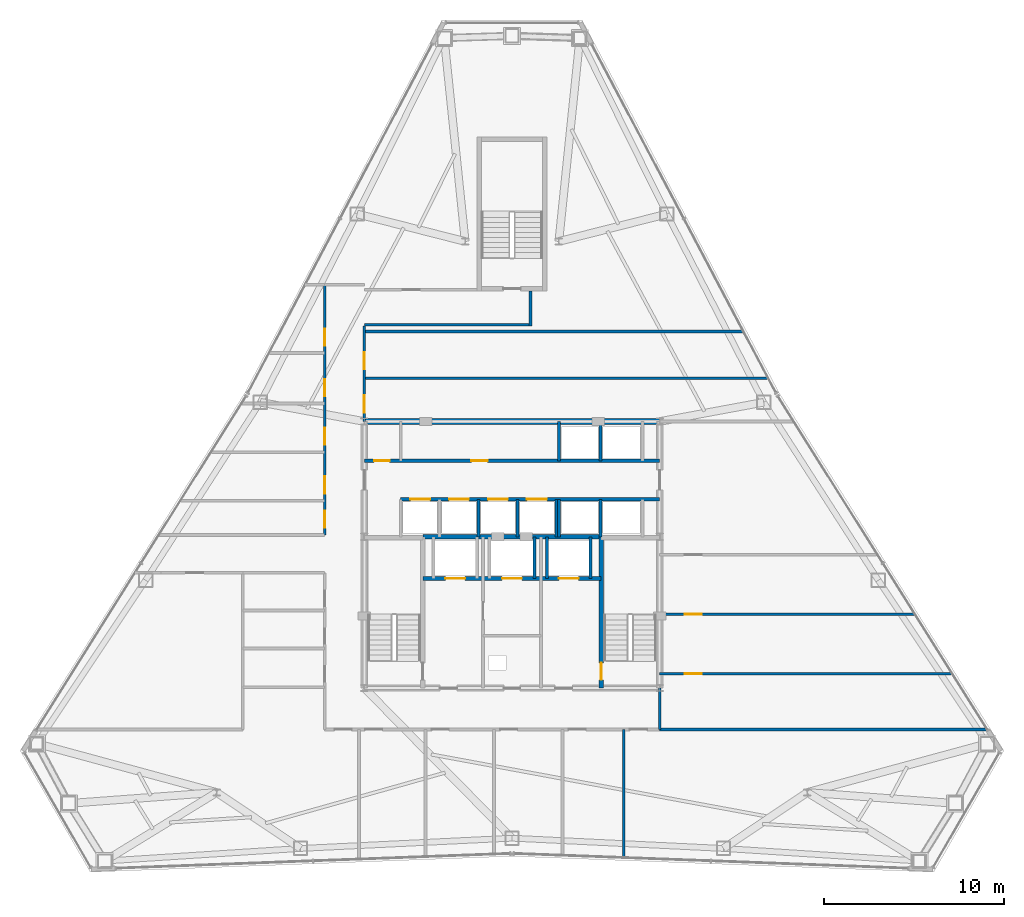
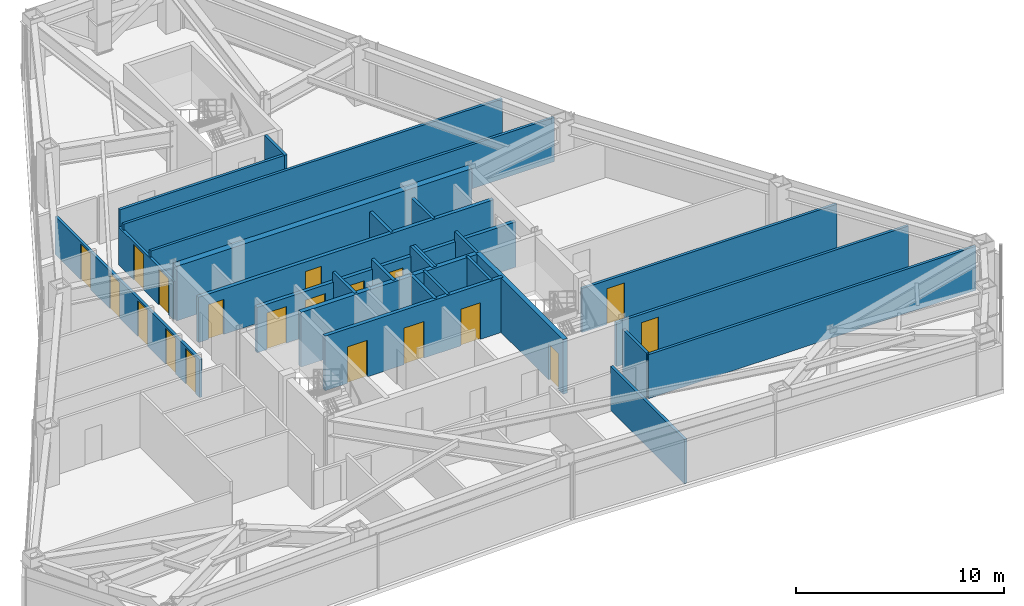
# One storey, part 11 of 13: 27 walls, 19 doors, 19 openings.
"""IFC4 building model written with IfcOpenShell, lengths in metres."""

from ifc_helpers import new_model, si_unit, direction, frame, frame_2d, origin, place, context, subcontext, project, spatial, rectangle, extrude, material, layer, layer_set, type_object, element, fill, save


model = new_model("IFC4")

# Units and contexts
model_context = context("Model", 3, precision=1e-05, world=origin(), true_north=direction((0.0, 1.0)))
body_context = subcontext(model_context, "Body", "Model", "MODEL_VIEW")
ifc_project = project(units=[si_unit("LENGTHUNIT", "METRE"), si_unit("AREAUNIT", "SQUARE_METRE"), si_unit("VOLUMEUNIT", "CUBIC_METRE"), si_unit("PLANEANGLEUNIT", "RADIAN"), si_unit("MASSUNIT", "GRAM", prefix="KILO")], contexts=[model_context])

# Site, building, storey
site_placement = place(None, origin())
site = spatial("IfcSite", under=ifc_project, at=site_placement, CompositionType="ELEMENT")
building_placement = place(site_placement, origin())
building = spatial("IfcBuilding", under=site, at=building_placement, Name="Varakhsha Concourse Tower", CompositionType="ELEMENT")
storey_placement = place(building_placement, frame((0.0, 0.0, 179.25)))
storey = spatial("IfcBuildingStorey", under=building, at=storey_placement, Name="L51", CompositionType="ELEMENT", Elevation=179.25)

# Walls
ifc_material_1 = material(Name="Concrete fc 65 MPa", Category="concrete")
ifc_layer_1 = layer(ifc_material_1, 0.35009765625, Name="WL-CORE-350")
ifc_layer_set_1 = layer_set([ifc_layer_1], Name="Concrete fc 65 MPa")
wall_type_1 = type_object("IfcWallType", Name="WL-CORE-350", PredefinedType="SHEAR", material=ifc_layer_set_1)
wall_1_placement = place(storey_placement, frame((31.800048828125, 31.199951171875, 0.0), z_axis=(0.0, 0.0, 1.0), x_axis=(1.0, 0.0, 0.0)))
element("IfcWall", 1, at=wall_1_placement, inside=storey, type_object=wall_type_1, Name="L51 Wall CWALL-N-L51", PredefinedType="SHEAR", context=body_context, shape_type="SweptSolid", body=[
    extrude(rectangle(XDim=16.39990234375, YDim=0.35009765625, at=frame_2d((8.199951171875, 0.0))), origin(), (0.0, 0.0, 1.0), 3.2099609375),
])
ifc_material_2 = material(Name="Fire-Rated Type X Gypsum Partition Assembly", Category="gypsum")
ifc_layer_2 = layer(ifc_material_2, 0.14990234375, Name="WL-PART-150")
ifc_layer_set_2 = layer_set([ifc_layer_2], Name="Fire-Rated Type X Gypsum Partition Assembly")
wall_type_2 = type_object("IfcWallType", Name="WL-PART-150", PredefinedType="PARTITIONING", material=ifc_layer_set_2)
wall_2_placement = place(storey_placement, frame((48.199951171875, 14.10009765625, 0.0), z_axis=(0.0, 0.0, 1.0), x_axis=(0.0, 1.0, 0.0)))
element("IfcWall", 2, at=wall_2_placement, inside=storey, type_object=wall_type_2, Name="L51 Wall CRW-SE-L51", PredefinedType="PARTITIONING", context=body_context, shape_type="SweptSolid", body=[
    extrude(rectangle(XDim=2.2998046875, YDim=0.14990234375, at=frame_2d((1.14990234375, 0.0))), origin(), (0.0, 0.0, 1.0), 2.6650390625),
])

# Wall, openings, doors
wall_3_placement = place(storey_placement, frame((29.60009765625, 24.89990234375, 0.0), z_axis=(0.0, 0.0, 1.0), x_axis=(0.0, 1.0, 0.0)))
wall_3 = element("IfcWall", 3, at=wall_3_placement, inside=storey, type_object=wall_type_2, Name="L51 Wall CRW-WN-L51", PredefinedType="PARTITIONING", context=body_context, shape_type="SweptSolid", body=[
    extrude(rectangle(XDim=13.900146484375, YDim=0.14990234375, at=frame_2d((6.9501953125, 0.0))), origin(), (0.0, 0.0, 1.0), 2.22509765625),
])
opening_1_placement = place(wall_3_placement, frame((0.39990234375, 0.0, 0.0)))
opening_1 = element("IfcOpeningElement", 4, at=opening_1_placement, cuts=wall_3, Name="Opening DF-05", PredefinedType="OPENING", context=body_context, shape_type="SweptSolid", body=[
    extrude(rectangle(XDim=0.949951171875, YDim=2.10009765625, at=frame_2d((0.47509765625, 1.050048828125))), frame((0.0, 0.0849609375, 0.0), z_axis=(0.0, -1.0, 0.0), x_axis=(1.0, 0.0, 0.0)), (0.0, 0.0, 1.0), 0.169921875),
])
opening_2_placement = place(wall_3_placement, frame((2.300048828125, 0.0, 0.0)))
opening_2 = element("IfcOpeningElement", 5, at=opening_2_placement, cuts=wall_3, Name="Opening DF-05", PredefinedType="OPENING", context=body_context, shape_type="SweptSolid", body=[
    extrude(rectangle(XDim=0.949951171875, YDim=2.10009765625, at=frame_2d((0.47509765625, 1.050048828125))), frame((0.0, 0.0849609375, 0.0), z_axis=(0.0, -1.0, 0.0), x_axis=(1.0, 0.0, 0.0)), (0.0, 0.0, 1.0), 0.169921875),
])
opening_3_placement = place(wall_3_placement, frame((5.0, 0.0, 0.0)))
opening_3 = element("IfcOpeningElement", 6, at=opening_3_placement, cuts=wall_3, Name="Opening DF-05", PredefinedType="OPENING", context=body_context, shape_type="SweptSolid", body=[
    extrude(rectangle(XDim=0.949951171875, YDim=2.10009765625, at=frame_2d((0.47509765625, 1.050048828125))), frame((0.0, 0.0849609375, 0.0), z_axis=(0.0, -1.0, 0.0), x_axis=(1.0, 0.0, 0.0)), (0.0, 0.0, 1.0), 0.169921875),
])
opening_4_placement = place(wall_3_placement, frame((7.699951171875, 0.0, 0.0)))
opening_4 = element("IfcOpeningElement", 7, at=opening_4_placement, cuts=wall_3, Name="Opening DF-05", PredefinedType="OPENING", context=body_context, shape_type="SweptSolid", body=[
    extrude(rectangle(XDim=0.949951171875, YDim=2.10009765625, at=frame_2d((0.47509765625, 1.050048828125))), frame((0.0, 0.0849609375, 0.0), z_axis=(0.0, -1.0, 0.0), x_axis=(1.0, 0.0, 0.0)), (0.0, 0.0, 1.0), 0.169921875),
])
opening_5_placement = place(wall_3_placement, frame((10.5, 0.0, 0.0)))
opening_5 = element("IfcOpeningElement", 8, at=opening_5_placement, cuts=wall_3, Name="Opening DF-05", PredefinedType="OPENING", context=body_context, shape_type="SweptSolid", body=[
    extrude(rectangle(XDim=0.949951171875, YDim=2.10009765625, at=frame_2d((0.47509765625, 1.050048828125))), frame((0.0, 0.0849609375, 0.0), z_axis=(0.0, -1.0, 0.0), x_axis=(1.0, 0.0, 0.0)), (0.0, 0.0, 1.0), 0.169921875),
])
ifc_material_3 = material(Name="Hollow Galvanised Steel Fire Door Assembly", Category="steel")
door_type_1 = type_object("IfcDoorType", Name="DR-FD60-950", OperationType="NOTDEFINED", PredefinedType="DOOR", material=ifc_material_3)
door_1_placement = place(opening_1_placement, origin())
door_1 = element("IfcDoor", 9, at=door_1_placement, inside=storey, type_object=door_type_1, Name="L51 Chambers Break Kitchen L51-NW Door", OperationType="SINGLE_SWING_LEFT", OverallHeight=2.10009765625, OverallWidth=0.949951171875, PredefinedType="DOOR", context=body_context, shape_type="SweptSolid", body=[
    extrude(rectangle(XDim=0.949951171875, YDim=2.10009765625, at=frame_2d((0.47509765625, 1.050048828125))), frame((0.0, 0.02490234375, 0.0), z_axis=(0.0, -1.0, 0.0), x_axis=(1.0, 0.0, 0.0)), (0.0, 0.0, 1.0), 0.050048828125),
])
fill(opening_1, door_1)
door_2_placement = place(opening_2_placement, origin())
door_2 = element("IfcDoor", 10, at=door_2_placement, inside=storey, type_object=door_type_1, Name="L51 Senior Partner Chamber L51-W2 Door", OperationType="SINGLE_SWING_RIGHT", OverallHeight=2.10009765625, OverallWidth=0.949951171875, PredefinedType="DOOR", context=body_context, shape_type="SweptSolid", body=[
    extrude(rectangle(XDim=0.949951171875, YDim=2.10009765625, at=frame_2d((0.47509765625, 1.050048828125))), frame((0.0, 0.02490234375, 0.0), z_axis=(0.0, -1.0, 0.0), x_axis=(1.0, 0.0, 0.0)), (0.0, 0.0, 1.0), 0.050048828125),
])
fill(opening_2, door_2)
door_3_placement = place(opening_3_placement, origin())
door_3 = element("IfcDoor", 11, at=door_3_placement, inside=storey, type_object=door_type_1, Name="L51 Senior Partner Chamber L51-W3 Door", OperationType="SINGLE_SWING_LEFT", OverallHeight=2.10009765625, OverallWidth=0.949951171875, PredefinedType="DOOR", context=body_context, shape_type="SweptSolid", body=[
    extrude(rectangle(XDim=0.949951171875, YDim=2.10009765625, at=frame_2d((0.47509765625, 1.050048828125))), frame((0.0, 0.02490234375, 0.0), z_axis=(0.0, -1.0, 0.0), x_axis=(1.0, 0.0, 0.0)), (0.0, 0.0, 1.0), 0.050048828125),
])
fill(opening_3, door_3)
door_4_placement = place(opening_4_placement, origin())
door_4 = element("IfcDoor", 12, at=door_4_placement, inside=storey, type_object=door_type_1, Name="L51 Senior Partner Chamber L51-W4 Door", OperationType="SINGLE_SWING_RIGHT", OverallHeight=2.10009765625, OverallWidth=0.949951171875, PredefinedType="DOOR", context=body_context, shape_type="SweptSolid", body=[
    extrude(rectangle(XDim=0.949951171875, YDim=2.10009765625, at=frame_2d((0.47509765625, 1.050048828125))), frame((0.0, 0.02490234375, 0.0), z_axis=(0.0, -1.0, 0.0), x_axis=(1.0, 0.0, 0.0)), (0.0, 0.0, 1.0), 0.050048828125),
])
fill(opening_4, door_4)
door_5_placement = place(opening_5_placement, origin())
door_5 = element("IfcDoor", 13, at=door_5_placement, inside=storey, type_object=door_type_1, Name="L51 Senior Partner Chamber L51-W5 Door", OperationType="SINGLE_SWING_LEFT", OverallHeight=2.10009765625, OverallWidth=0.949951171875, PredefinedType="DOOR", context=body_context, shape_type="SweptSolid", body=[
    extrude(rectangle(XDim=0.949951171875, YDim=2.10009765625, at=frame_2d((0.47509765625, 1.050048828125))), frame((0.0, 0.02490234375, 0.0), z_axis=(0.0, -1.0, 0.0), x_axis=(1.0, 0.0, 0.0)), (0.0, 0.0, 1.0), 0.050048828125),
])
fill(opening_5, door_5)

wall_4_placement = place(storey_placement, frame((31.800048828125, 31.199951171875, 0.0), z_axis=(0.0, 0.0, 1.0), x_axis=(0.0, 1.0, 0.0)))
wall_4 = element("IfcWall", 14, at=wall_4_placement, inside=storey, type_object=wall_type_2, Name="L51 Wall CRW-NE-L51", PredefinedType="PARTITIONING", context=body_context, shape_type="SweptSolid", body=[
    extrude(rectangle(XDim=5.300048828125, YDim=0.14990234375, at=frame_2d((2.64990234375, 0.0))), origin(), (0.0, 0.0, 1.0), 2.22509765625),
])
opening_6_placement = place(wall_4_placement, frame((0.5, 0.0, 0.0)))
opening_6 = element("IfcOpeningElement", 15, at=opening_6_placement, cuts=wall_4, Name="Opening DF-05", PredefinedType="OPENING", context=body_context, shape_type="SweptSolid", body=[
    extrude(rectangle(XDim=0.949951171875, YDim=2.10009765625, at=frame_2d((0.47509765625, 1.050048828125))), frame((0.0, 0.0849609375, 0.0), z_axis=(0.0, -1.0, 0.0), x_axis=(1.0, 0.0, 0.0)), (0.0, 0.0, 1.0), 0.169921875),
])
opening_7_placement = place(wall_4_placement, frame((2.89990234375, 0.0, 0.0)))
opening_7 = element("IfcOpeningElement", 16, at=opening_7_placement, cuts=wall_4, Name="Opening DF-05", PredefinedType="OPENING", context=body_context, shape_type="SweptSolid", body=[
    extrude(rectangle(XDim=0.949951171875, YDim=2.10009765625, at=frame_2d((0.47509765625, 1.050048828125))), frame((0.0, 0.0849609375, 0.0), z_axis=(0.0, -1.0, 0.0), x_axis=(1.0, 0.0, 0.0)), (0.0, 0.0, 1.0), 0.169921875),
])
door_6_placement = place(opening_6_placement, origin())
door_6 = element("IfcDoor", 17, at=door_6_placement, inside=storey, type_object=door_type_1, Name="L51 Mountain View Deposition Conference Room L51-NE1 Door", OperationType="SINGLE_SWING_RIGHT", OverallHeight=2.10009765625, OverallWidth=0.949951171875, PredefinedType="DOOR", context=body_context, shape_type="SweptSolid", body=[
    extrude(rectangle(XDim=0.949951171875, YDim=2.10009765625, at=frame_2d((0.47509765625, 1.050048828125))), frame((0.0, 0.02490234375, 0.0), z_axis=(0.0, -1.0, 0.0), x_axis=(1.0, 0.0, 0.0)), (0.0, 0.0, 1.0), 0.050048828125),
])
fill(opening_6, door_6)
door_7_placement = place(opening_7_placement, origin())
door_7 = element("IfcDoor", 18, at=door_7_placement, inside=storey, type_object=door_type_1, Name="L51 Apex Senior Partner Chamber L51-NE2 Door", OperationType="SINGLE_SWING_RIGHT", OverallHeight=2.10009765625, OverallWidth=0.949951171875, PredefinedType="DOOR", context=body_context, shape_type="SweptSolid", body=[
    extrude(rectangle(XDim=0.949951171875, YDim=2.10009765625, at=frame_2d((0.47509765625, 1.050048828125))), frame((0.0, 0.02490234375, 0.0), z_axis=(0.0, -1.0, 0.0), x_axis=(1.0, 0.0, 0.0)), (0.0, 0.0, 1.0), 0.050048828125),
])
fill(opening_7, door_7)

# Walls
wall_5_placement = place(storey_placement, frame((46.199951171875, 6.982666015625, 0.0), z_axis=(0.0, 0.0, 1.0), x_axis=(0.0, 1.0, 0.0)))
element("IfcWall", 19, at=wall_5_placement, inside=storey, type_object=wall_type_2, Name="L51 Wall ODIV-S5-L51", PredefinedType="PARTITIONING", context=body_context, shape_type="SweptSolid", body=[
    extrude(rectangle(XDim=7.117431640625, YDim=0.14990234375, at=frame_2d((3.55859375, 0.0))), origin(), (0.0, 0.0, 1.0), 2.589111328125),
])
wall_6_placement = place(storey_placement, frame((31.800048828125, 33.60009765625, 0.0), z_axis=(0.0, 0.0, 1.0), x_axis=(1.0, 0.0, 0.0)))
element("IfcWall", 20, at=wall_6_placement, inside=storey, type_object=wall_type_2, Name="L51 Wall ODIV-NE1-L51", PredefinedType="PARTITIONING", context=body_context, shape_type="SweptSolid", body=[
    extrude(rectangle(XDim=22.43017578125, YDim=0.14990234375, at=frame_2d((11.215087890625, 0.0))), origin(), (0.0, 0.0, 1.0), 2.589111328125),
])
wall_7_placement = place(storey_placement, frame((31.800048828125, 36.199951171875, 0.0), z_axis=(0.0, 0.0, 1.0), x_axis=(1.0, 0.0, 0.0)))
element("IfcWall", 21, at=wall_7_placement, inside=storey, type_object=wall_type_2, Name="L51 Wall ODIV-NE2-L51", PredefinedType="PARTITIONING", context=body_context, shape_type="SweptSolid", body=[
    extrude(rectangle(XDim=21.05615234375, YDim=0.14990234375, at=frame_2d((10.528076171875, 0.0))), origin(), (0.0, 0.0, 1.0), 2.589111328125),
])
wall_8_placement = place(storey_placement, frame((48.199951171875, 14.10009765625, 0.0), z_axis=(0.0, 0.0, 1.0), x_axis=(1.0, 0.0, 0.0)))
element("IfcWall", 22, at=wall_8_placement, inside=storey, type_object=wall_type_2, Name="L51 Wall ODIV-EB0-L51", PredefinedType="PARTITIONING", context=body_context, shape_type="SweptSolid", body=[
    extrude(rectangle(XDim=18.192138671875, YDim=0.14990234375, at=frame_2d((9.09619140625, 0.0))), origin(), (0.0, 0.0, 1.0), 2.589111328125),
])

# Wall, opening, door
wall_9_placement = place(storey_placement, frame((48.199951171875, 17.199951171875, 0.0), z_axis=(0.0, 0.0, 1.0), x_axis=(1.0, 0.0, 0.0)))
wall_9 = element("IfcWall", 23, at=wall_9_placement, inside=storey, type_object=wall_type_2, Name="L51 Wall ODIV-E1-L51", PredefinedType="PARTITIONING", context=body_context, shape_type="SweptSolid", body=[
    extrude(rectangle(XDim=16.244140625, YDim=0.14990234375, at=frame_2d((8.1220703125, 0.0))), origin(), (0.0, 0.0, 1.0), 2.589111328125),
])
opening_8_placement = place(wall_9_placement, frame((1.39990234375, 0.0, 0.0)))
opening_8 = element("IfcOpeningElement", 24, at=opening_8_placement, cuts=wall_9, Name="Opening DF-05", PredefinedType="OPENING", context=body_context, shape_type="SweptSolid", body=[
    extrude(rectangle(XDim=0.949951171875, YDim=2.10009765625, at=frame_2d((0.47509765625, 1.050048828125))), frame((0.0, 0.0849609375, 0.0), z_axis=(0.0, -1.0, 0.0), x_axis=(1.0, 0.0, 0.0)), (0.0, 0.0, 1.0), 0.169921875),
])
door_8_placement = place(opening_8_placement, origin())
door_8 = element("IfcDoor", 25, at=door_8_placement, inside=storey, type_object=door_type_1, Name="L51 East Suite Interconnect Door 1", OperationType="SINGLE_SWING_LEFT", OverallHeight=2.10009765625, OverallWidth=0.949951171875, PredefinedType="DOOR", context=body_context, shape_type="SweptSolid", body=[
    extrude(rectangle(XDim=0.949951171875, YDim=2.10009765625, at=frame_2d((0.47509765625, 1.050048828125))), frame((0.0, 0.02490234375, 0.0), z_axis=(0.0, -1.0, 0.0), x_axis=(1.0, 0.0, 0.0)), (0.0, 0.0, 1.0), 0.050048828125),
])
fill(opening_8, door_8)

wall_10_placement = place(storey_placement, frame((48.199951171875, 20.5, 0.0), z_axis=(0.0, 0.0, 1.0), x_axis=(1.0, 0.0, 0.0)))
wall_10 = element("IfcWall", 26, at=wall_10_placement, inside=storey, type_object=wall_type_2, Name="L51 Wall ODIV-E2-L51", PredefinedType="PARTITIONING", context=body_context, shape_type="SweptSolid", body=[
    extrude(rectangle(XDim=14.1708984375, YDim=0.14990234375, at=frame_2d((7.08544921875, 0.0))), origin(), (0.0, 0.0, 1.0), 2.589111328125),
])
opening_9_placement = place(wall_10_placement, frame((1.39990234375, 0.0, 0.0)))
opening_9 = element("IfcOpeningElement", 27, at=opening_9_placement, cuts=wall_10, Name="Opening DF-05", PredefinedType="OPENING", context=body_context, shape_type="SweptSolid", body=[
    extrude(rectangle(XDim=0.949951171875, YDim=2.10009765625, at=frame_2d((0.47509765625, 1.050048828125))), frame((0.0, 0.0849609375, 0.0), z_axis=(0.0, -1.0, 0.0), x_axis=(1.0, 0.0, 0.0)), (0.0, 0.0, 1.0), 0.169921875),
])
door_9_placement = place(opening_9_placement, origin())
door_9 = element("IfcDoor", 28, at=door_9_placement, inside=storey, type_object=door_type_1, Name="L51 East Suite Interconnect Door 2", OperationType="SINGLE_SWING_RIGHT", OverallHeight=2.10009765625, OverallWidth=0.949951171875, PredefinedType="DOOR", context=body_context, shape_type="SweptSolid", body=[
    extrude(rectangle(XDim=0.949951171875, YDim=2.10009765625, at=frame_2d((0.47509765625, 1.050048828125))), frame((0.0, 0.02490234375, 0.0), z_axis=(0.0, -1.0, 0.0), x_axis=(1.0, 0.0, 0.0)), (0.0, 0.0, 1.0), 0.050048828125),
])
fill(opening_9, door_9)

# Walls
wall_11_placement = place(storey_placement, frame((31.800048828125, 36.574951171875, 0.0), z_axis=(0.0, 0.0, 1.0), x_axis=(1.0, 0.0, 0.0)))
element("IfcWall", 29, at=wall_11_placement, inside=storey, type_object=wall_type_2, Name="L51 Wall STLK-S-L51", PredefinedType="PARTITIONING", context=body_context, shape_type="SweptSolid", body=[
    extrude(rectangle(XDim=9.14990234375, YDim=0.14990234375, at=frame_2d((4.574951171875, 0.0))), origin(), (0.0, 0.0, 1.0), 3.2099609375),
])
wall_12_placement = place(storey_placement, frame((41.02490234375, 36.5, 0.0), z_axis=(0.0, 0.0, 1.0), x_axis=(0.0, 1.0, 0.0)))
element("IfcWall", 30, at=wall_12_placement, inside=storey, type_object=wall_type_2, Name="L51 Wall STLK-E-L51", PredefinedType="PARTITIONING", context=body_context, shape_type="SweptSolid", body=[
    extrude(rectangle(XDim=1.949951171875, YDim=0.14990234375, at=frame_2d((0.97509765625, 0.0))), origin(), (0.0, 0.0, 1.0), 3.2099609375),
])

# Wall, openings, doors
ifc_layer_3 = layer(ifc_material_2, 0.199951171875, Name="WL-SHAFT-220")
ifc_layer_set_3 = layer_set([ifc_layer_3], Name="Fire-Rated Type X Gypsum Partition Assembly")
wall_type_3 = type_object("IfcWallType", Name="WL-SHAFT-220", PredefinedType="SOLIDWALL", material=ifc_layer_set_3)
wall_13_placement = place(storey_placement, frame((35.044921875, 22.47998046875, 0.0), z_axis=(0.0, 0.0, 1.0), x_axis=(1.0, 0.0, 0.0)))
wall_13 = element("IfcWall", 31, at=wall_13_placement, inside=storey, type_object=wall_type_3, Name="L51 Wall FFW-NH-L51", PredefinedType="SOLIDWALL", context=body_context, shape_type="SweptSolid", body=[
    extrude(rectangle(XDim=9.91015625, YDim=0.199951171875, at=frame_2d((4.955078125, 0.0))), origin(), (0.0, 0.0, 1.0), 3.2099609375),
])
opening_10_placement = place(wall_13_placement, frame((1.2548828125, 0.0, 0.0)))
opening_10 = element("IfcOpeningElement", 32, at=opening_10_placement, cuts=wall_13, Name="Opening LD-FFL-1", PredefinedType="OPENING", context=body_context, shape_type="SweptSolid", body=[
    extrude(rectangle(XDim=1.10009765625, YDim=2.14990234375, at=frame_2d((0.550048828125, 1.074951171875))), frame((0.0, 0.10986328125, 0.0), z_axis=(0.0, -1.0, 0.0), x_axis=(1.0, 0.0, 0.0)), (0.0, 0.0, 1.0), 0.219970703125),
])
opening_11_placement = place(wall_13_placement, frame((7.554931640625, 0.0, 0.0)))
opening_11 = element("IfcOpeningElement", 33, at=opening_11_placement, cuts=wall_13, Name="Opening LD-FFL-2", PredefinedType="OPENING", context=body_context, shape_type="SweptSolid", body=[
    extrude(rectangle(XDim=1.10009765625, YDim=2.14990234375, at=frame_2d((0.550048828125, 1.074951171875))), frame((0.0, 0.10986328125, 0.0), z_axis=(0.0, -1.0, 0.0), x_axis=(1.0, 0.0, 0.0)), (0.0, 0.0, 1.0), 0.219970703125),
])
opening_12_placement = place(wall_13_placement, frame((4.405029296875, 0.0, 0.0)))
opening_12 = element("IfcOpeningElement", 34, at=opening_12_placement, cuts=wall_13, Name="Opening LD-SVL-1", PredefinedType="OPENING", context=body_context, shape_type="SweptSolid", body=[
    extrude(rectangle(XDim=1.10009765625, YDim=2.14990234375, at=frame_2d((0.550048828125, 1.074951171875))), frame((0.0, 0.10986328125, 0.0), z_axis=(0.0, -1.0, 0.0), x_axis=(1.0, 0.0, 0.0)), (0.0, 0.0, 1.0), 0.219970703125),
])
ifc_material_4 = material(Name="Brushed Austenitic Stainless Steel AISI 316", Category="steel")
door_type_2 = type_object("IfcDoorType", Name="DR-LD-1100", OperationType="DOUBLE_DOOR_SLIDING", PredefinedType="DOOR", material=ifc_material_4)
door_10_placement = place(opening_10_placement, origin())
door_10 = element("IfcDoor", 35, at=door_10_placement, inside=storey, type_object=door_type_2, Name="Lift Landing Door FFL-1 L51", OperationType="DOUBLE_DOOR_SLIDING", OverallHeight=2.14990234375, OverallWidth=1.10009765625, PredefinedType="DOOR", context=body_context, shape_type="SweptSolid", body=[
    extrude(rectangle(XDim=1.10009765625, YDim=2.14990234375, at=frame_2d((0.550048828125, 1.074951171875))), frame((0.0, 0.02490234375, 0.0), z_axis=(0.0, -1.0, 0.0), x_axis=(1.0, 0.0, 0.0)), (0.0, 0.0, 1.0), 0.050048828125),
])
fill(opening_10, door_10)
door_11_placement = place(opening_11_placement, origin())
door_11 = element("IfcDoor", 36, at=door_11_placement, inside=storey, type_object=door_type_2, Name="Lift Landing Door FFL-2 L51", OperationType="DOUBLE_DOOR_SLIDING", OverallHeight=2.14990234375, OverallWidth=1.10009765625, PredefinedType="DOOR", context=body_context, shape_type="SweptSolid", body=[
    extrude(rectangle(XDim=1.10009765625, YDim=2.14990234375, at=frame_2d((0.550048828125, 1.074951171875))), frame((0.0, 0.02490234375, 0.0), z_axis=(0.0, -1.0, 0.0), x_axis=(1.0, 0.0, 0.0)), (0.0, 0.0, 1.0), 0.050048828125),
])
fill(opening_11, door_11)
door_12_placement = place(opening_12_placement, origin())
door_12 = element("IfcDoor", 37, at=door_12_placement, inside=storey, type_object=door_type_2, Name="Lift Landing Door SVL-1 L51", OperationType="DOUBLE_DOOR_SLIDING", OverallHeight=2.14990234375, OverallWidth=1.10009765625, PredefinedType="DOOR", context=body_context, shape_type="SweptSolid", body=[
    extrude(rectangle(XDim=1.10009765625, YDim=2.14990234375, at=frame_2d((0.550048828125, 1.074951171875))), frame((0.0, 0.02490234375, 0.0), z_axis=(0.0, -1.0, 0.0), x_axis=(1.0, 0.0, 0.0)), (0.0, 0.0, 1.0), 0.050048828125),
])
fill(opening_12, door_12)

# Walls
for number, where, z_axis, x_axis, name in (
    (38, (41.949951171875, 22.47998046875, 0.0), (0.0, 0.0, 1.0), (0.0, 1.0, 0.0), "L51 Wall SHW-FFL-2-W-L51"),
    (39, (44.35009765625, 22.47998046875, 0.0), (0.0, 0.0, 1.0), (0.0, 1.0, 0.0), "L51 Wall SHW-FFL-2-E-L51"),
    (40, (41.25, 22.47998046875, 0.0), (0.0, 0.0, 1.0), (0.0, 1.0, 0.0), "L51 Wall SHW-SVL-1-E-L51"),
):
    element("IfcWall", number, at=place(storey_placement, frame(where, z_axis=z_axis, x_axis=x_axis)), inside=storey, type_object=wall_type_3, Name=name, PredefinedType="SOLIDWALL", context=body_context, shape_type="SweptSolid", body=[
        extrude(rectangle(XDim=2.320068359375, YDim=0.159912109375, at=frame_2d((1.16015625, 0.0))), origin(), (0.0, 0.0, 1.0), 3.2099609375),
    ])

# Wall, openings, doors
wall_14_placement = place(storey_placement, frame((31.800048828125, 29.02001953125, 0.0), z_axis=(0.0, 0.0, 1.0), x_axis=(1.0, 0.0, 0.0)))
wall_14 = element("IfcWall", 41, at=wall_14_placement, inside=storey, type_object=wall_type_3, Name="L51 Wall PLW-N-L51", PredefinedType="SOLIDWALL", context=body_context, shape_type="SweptSolid", body=[
    extrude(rectangle(XDim=16.39990234375, YDim=0.199951171875, at=frame_2d((8.199951171875, 0.0))), origin(), (0.0, 0.0, 1.0), 2.6650390625),
])
opening_13_placement = place(wall_14_placement, frame((0.550048828125, 0.0, 0.0)))
opening_13 = element("IfcOpeningElement", 42, at=opening_13_placement, cuts=wall_14, Name="Opening DF-07", PredefinedType="OPENING", context=body_context, shape_type="SweptSolid", body=[
    extrude(rectangle(XDim=0.85009765625, YDim=2.050048828125, at=frame_2d((0.425048828125, 1.02490234375))), frame((0.0, 0.10986328125, 0.0), z_axis=(0.0, -1.0, 0.0), x_axis=(1.0, 0.0, 0.0)), (0.0, 0.0, 1.0), 0.219970703125),
])
opening_14_placement = place(wall_14_placement, frame((5.93994140625, 0.0, 0.0)))
opening_14 = element("IfcOpeningElement", 43, at=opening_14_placement, cuts=wall_14, Name="Opening DF-06", PredefinedType="OPENING", context=body_context, shape_type="SweptSolid", body=[
    extrude(rectangle(XDim=0.89990234375, YDim=2.10009765625, at=frame_2d((0.449951171875, 1.050048828125))), frame((0.0, 0.10986328125, 0.0), z_axis=(0.0, -1.0, 0.0), x_axis=(1.0, 0.0, 0.0)), (0.0, 0.0, 1.0), 0.219970703125),
])
door_type_3 = type_object("IfcDoorType", Name="DR-FD60-850", OperationType="NOTDEFINED", PredefinedType="DOOR", material=ifc_material_3)
door_13_placement = place(opening_13_placement, origin())
door_13 = element("IfcDoor", 44, at=door_13_placement, inside=storey, type_object=door_type_3, Name="L51 Core Janitor Closet Door", OperationType="SINGLE_SWING_LEFT", OverallHeight=2.050048828125, OverallWidth=0.85009765625, PredefinedType="DOOR", context=body_context, shape_type="SweptSolid", body=[
    extrude(rectangle(XDim=0.85009765625, YDim=2.050048828125, at=frame_2d((0.425048828125, 1.02490234375))), frame((0.0, 0.02490234375, 0.0), z_axis=(0.0, -1.0, 0.0), x_axis=(1.0, 0.0, 0.0)), (0.0, 0.0, 1.0), 0.050048828125),
])
fill(opening_13, door_13)
door_type_4 = type_object("IfcDoorType", Name="DR-FD60-900", OperationType="NOTDEFINED", PredefinedType="DOOR", material=ifc_material_3)
door_14_placement = place(opening_14_placement, origin())
door_14 = element("IfcDoor", 45, at=door_14_placement, inside=storey, type_object=door_type_4, Name="L51 Tenant Archive and IT Server Room Door", OperationType="SINGLE_SWING_LEFT", OverallHeight=2.10009765625, OverallWidth=0.89990234375, PredefinedType="DOOR", context=body_context, shape_type="SweptSolid", body=[
    extrude(rectangle(XDim=0.89990234375, YDim=2.10009765625, at=frame_2d((0.449951171875, 1.050048828125))), frame((0.0, 0.02490234375, 0.0), z_axis=(0.0, -1.0, 0.0), x_axis=(1.0, 0.0, 0.0)), (0.0, 0.0, 1.0), 0.050048828125),
])
fill(opening_14, door_14)

wall_15_placement = place(storey_placement, frame((33.820068359375, 26.8798828125, 0.0), z_axis=(0.0, 0.0, 1.0), x_axis=(1.0, 0.0, 0.0)))
wall_15 = element("IfcWall", 46, at=wall_15_placement, inside=storey, type_object=wall_type_3, Name="L51 Wall PLW-S-L51", PredefinedType="SOLIDWALL", context=body_context, shape_type="SweptSolid", body=[
    extrude(rectangle(XDim=14.3798828125, YDim=0.199951171875, at=frame_2d((7.18994140625, 0.0))), origin(), (0.0, 0.0, 1.0), 2.6650390625),
])
opening_15_placement = place(wall_15_placement, frame((0.530029296875, 0.0, 0.0)))
opening_15 = element("IfcOpeningElement", 47, at=opening_15_placement, cuts=wall_15, Name="Opening LD-LF-P05", PredefinedType="OPENING", context=body_context, shape_type="SweptSolid", body=[
    extrude(rectangle(XDim=1.10009765625, YDim=2.14990234375, at=frame_2d((0.550048828125, 1.074951171875))), frame((0.0, 0.10986328125, 0.0), z_axis=(0.0, -1.0, 0.0), x_axis=(1.0, 0.0, 0.0)), (0.0, 0.0, 1.0), 0.219970703125),
])
opening_16_placement = place(wall_15_placement, frame((2.68994140625, 0.0, 0.0)))
opening_16 = element("IfcOpeningElement", 48, at=opening_16_placement, cuts=wall_15, Name="Opening LD-LF-P06", PredefinedType="OPENING", context=body_context, shape_type="SweptSolid", body=[
    extrude(rectangle(XDim=1.10009765625, YDim=2.14990234375, at=frame_2d((0.550048828125, 1.074951171875))), frame((0.0, 0.10986328125, 0.0), z_axis=(0.0, -1.0, 0.0), x_axis=(1.0, 0.0, 0.0)), (0.0, 0.0, 1.0), 0.219970703125),
])
opening_17_placement = place(wall_15_placement, frame((4.85009765625, 0.0, 0.0)))
opening_17 = element("IfcOpeningElement", 49, at=opening_17_placement, cuts=wall_15, Name="Opening LD-LF-P07", PredefinedType="OPENING", context=body_context, shape_type="SweptSolid", body=[
    extrude(rectangle(XDim=1.10009765625, YDim=2.14990234375, at=frame_2d((0.550048828125, 1.074951171875))), frame((0.0, 0.10986328125, 0.0), z_axis=(0.0, -1.0, 0.0), x_axis=(1.0, 0.0, 0.0)), (0.0, 0.0, 1.0), 0.219970703125),
])
opening_18_placement = place(wall_15_placement, frame((7.010009765625, 0.0, 0.0)))
opening_18 = element("IfcOpeningElement", 50, at=opening_18_placement, cuts=wall_15, Name="Opening LD-LF-P08", PredefinedType="OPENING", context=body_context, shape_type="SweptSolid", body=[
    extrude(rectangle(XDim=1.10009765625, YDim=2.14990234375, at=frame_2d((0.550048828125, 1.074951171875))), frame((0.0, 0.10986328125, 0.0), z_axis=(0.0, -1.0, 0.0), x_axis=(1.0, 0.0, 0.0)), (0.0, 0.0, 1.0), 0.219970703125),
])
door_15_placement = place(opening_15_placement, origin())
door_15 = element("IfcDoor", 51, at=door_15_placement, inside=storey, type_object=door_type_2, Name="Lift Landing Door LF-P05 L51", OperationType="DOUBLE_DOOR_SLIDING", OverallHeight=2.14990234375, OverallWidth=1.10009765625, PredefinedType="DOOR", context=body_context, shape_type="SweptSolid", body=[
    extrude(rectangle(XDim=1.10009765625, YDim=2.14990234375, at=frame_2d((0.550048828125, 1.074951171875))), frame((0.0, 0.02490234375, 0.0), z_axis=(0.0, -1.0, 0.0), x_axis=(1.0, 0.0, 0.0)), (0.0, 0.0, 1.0), 0.050048828125),
])
fill(opening_15, door_15)
door_16_placement = place(opening_16_placement, origin())
door_16 = element("IfcDoor", 52, at=door_16_placement, inside=storey, type_object=door_type_2, Name="Lift Landing Door LF-P06 L51", OperationType="DOUBLE_DOOR_SLIDING", OverallHeight=2.14990234375, OverallWidth=1.10009765625, PredefinedType="DOOR", context=body_context, shape_type="SweptSolid", body=[
    extrude(rectangle(XDim=1.10009765625, YDim=2.14990234375, at=frame_2d((0.550048828125, 1.074951171875))), frame((0.0, 0.02490234375, 0.0), z_axis=(0.0, -1.0, 0.0), x_axis=(1.0, 0.0, 0.0)), (0.0, 0.0, 1.0), 0.050048828125),
])
fill(opening_16, door_16)
door_17_placement = place(opening_17_placement, origin())
door_17 = element("IfcDoor", 53, at=door_17_placement, inside=storey, type_object=door_type_2, Name="Lift Landing Door LF-P07 L51", OperationType="DOUBLE_DOOR_SLIDING", OverallHeight=2.14990234375, OverallWidth=1.10009765625, PredefinedType="DOOR", context=body_context, shape_type="SweptSolid", body=[
    extrude(rectangle(XDim=1.10009765625, YDim=2.14990234375, at=frame_2d((0.550048828125, 1.074951171875))), frame((0.0, 0.02490234375, 0.0), z_axis=(0.0, -1.0, 0.0), x_axis=(1.0, 0.0, 0.0)), (0.0, 0.0, 1.0), 0.050048828125),
])
fill(opening_17, door_17)
door_18_placement = place(opening_18_placement, origin())
door_18 = element("IfcDoor", 54, at=door_18_placement, inside=storey, type_object=door_type_2, Name="Lift Landing Door LF-P08 L51", OperationType="DOUBLE_DOOR_SLIDING", OverallHeight=2.14990234375, OverallWidth=1.10009765625, PredefinedType="DOOR", context=body_context, shape_type="SweptSolid", body=[
    extrude(rectangle(XDim=1.10009765625, YDim=2.14990234375, at=frame_2d((0.550048828125, 1.074951171875))), frame((0.0, 0.02490234375, 0.0), z_axis=(0.0, -1.0, 0.0), x_axis=(1.0, 0.0, 0.0)), (0.0, 0.0, 1.0), 0.050048828125),
])
fill(opening_18, door_18)

# Walls
for number, where, z_axis, x_axis, name in (
    (55, (38.139892578125, 24.800048828125, 0.0), (0.0, 0.0, 1.0), (0.0, 1.0, 0.0), "L51 Wall SHW-LF-P06-E-L51"),
    (56, (40.300048828125, 24.800048828125, 0.0), (0.0, 0.0, 1.0), (0.0, 1.0, 0.0), "L51 Wall SHW-LF-P07-E-L51"),
    (57, (42.4599609375, 24.800048828125, 0.0), (0.0, 0.0, 1.0), (0.0, 1.0, 0.0), "L51 Wall SHW-LF-P08-E-L51"),
):
    element("IfcWall", number, at=place(storey_placement, frame(where, z_axis=z_axis, x_axis=x_axis)), inside=storey, type_object=wall_type_3, Name=name, PredefinedType="SOLIDWALL", context=body_context, shape_type="SweptSolid", body=[
        extrude(rectangle(XDim=2.079833984375, YDim=0.159912109375, at=frame_2d((1.0400390625, 0.0))), origin(), (0.0, 0.0, 1.0), 3.2099609375),
    ])
for number, where, z_axis, x_axis, name in (
    (58, (42.60009765625, 29.02001953125, 0.0), (0.0, 0.0, 1.0), (0.0, 1.0, 0.0), "L51 Wall SHW-LF-P09-W-L51"),
    (59, (44.919921875, 29.02001953125, 0.0), (0.0, 0.0, 1.0), (0.0, 1.0, 0.0), "L51 Wall SHW-LF-P09-E-L51"),
):
    element("IfcWall", number, at=place(storey_placement, frame(where, z_axis=z_axis, x_axis=x_axis)), inside=storey, type_object=wall_type_3, Name=name, PredefinedType="SOLIDWALL", context=body_context, shape_type="SweptSolid", body=[
        extrude(rectangle(XDim=2.179931640625, YDim=0.159912109375, at=frame_2d((1.08984375, 0.0))), origin(), (0.0, 0.0, 1.0), 2.6650390625),
    ])
for number, where, z_axis, x_axis, name in (
    (60, (42.60009765625, 24.800048828125, 0.0), (0.0, 0.0, 1.0), (0.0, 1.0, 0.0), "L51 Wall SHW-LF-P11-W-L51"),
    (61, (44.919921875, 24.800048828125, 0.0), (0.0, 0.0, 1.0), (0.0, 1.0, 0.0), "L51 Wall SHW-LF-P11-E-L51"),
):
    element("IfcWall", number, at=place(storey_placement, frame(where, z_axis=z_axis, x_axis=x_axis)), inside=storey, type_object=wall_type_3, Name=name, PredefinedType="SOLIDWALL", context=body_context, shape_type="SweptSolid", body=[
        extrude(rectangle(XDim=2.079833984375, YDim=0.159912109375, at=frame_2d((1.0400390625, 0.0))), origin(), (0.0, 0.0, 1.0), 3.2099609375),
    ])

# Wall, opening, door
ifc_material_5 = material(Name="Concrete fc 45 MPa", Category="concrete")
ifc_layer_4 = layer(ifc_material_5, 0.25, Name="WL-STAIR-250")
ifc_layer_set_4 = layer_set([ifc_layer_4], Name="Concrete fc 45 MPa")
wall_type_4 = type_object("IfcWallType", Name="WL-STAIR-250", PredefinedType="SHEAR", material=ifc_layer_set_4)
wall_16_placement = place(storey_placement, frame((44.955078125, 16.39990234375, 0.0), z_axis=(0.0, 0.0, 1.0), x_axis=(0.0, 1.0, 0.0)))
wall_16 = element("IfcWall", 62, at=wall_16_placement, inside=storey, type_object=wall_type_4, Name="L51 Wall SWALL-ST2-W-L51", PredefinedType="SHEAR", context=body_context, shape_type="SweptSolid", body=[
    extrude(rectangle(XDim=8.400146484375, YDim=0.25, at=frame_2d((4.2001953125, 0.0))), origin(), (0.0, 0.0, 1.0), 3.2099609375),
])
opening_19_placement = place(wall_16_placement, frame((0.449951171875, 0.0, 0.0)))
opening_19 = element("IfcOpeningElement", 63, at=opening_19_placement, cuts=wall_16, Name="Opening DF-03", PredefinedType="OPENING", context=body_context, shape_type="SweptSolid", body=[
    extrude(rectangle(XDim=0.949951171875, YDim=2.10009765625, at=frame_2d((0.47509765625, 1.050048828125))), frame((0.0, 0.135009765625, 0.0), z_axis=(0.0, -1.0, 0.0), x_axis=(1.0, 0.0, 0.0)), (0.0, 0.0, 1.0), 0.27001953125),
])
door_type_5 = type_object("IfcDoorType", Name="DR-FD90-950", OperationType="NOTDEFINED", PredefinedType="DOOR", material=ifc_material_3)
door_19_placement = place(opening_19_placement, origin())
door_19 = element("IfcDoor", 64, at=door_19_placement, inside=storey, type_object=door_type_5, Name="L51 Stair ST2 Fire Door", OperationType="SINGLE_SWING_RIGHT", OverallHeight=2.10009765625, OverallWidth=0.949951171875, PredefinedType="DOOR", context=body_context, shape_type="SweptSolid", body=[
    extrude(rectangle(XDim=0.949951171875, YDim=2.10009765625, at=frame_2d((0.47509765625, 1.050048828125))), frame((0.0, 0.02490234375, 0.0), z_axis=(0.0, -1.0, 0.0), x_axis=(1.0, 0.0, 0.0)), (0.0, 0.0, 1.0), 0.050048828125),
])
fill(opening_19, door_19)

# Wall
wall_17_placement = place(storey_placement, frame((35.044921875, 24.800048828125, 0.0), z_axis=(0.0, 0.0, 1.0), x_axis=(1.0, 0.0, 0.0)))
element("IfcWall", 65, at=wall_17_placement, inside=storey, type_object=wall_type_4, Name="L51 Wall SWALL-MID-H-L51", PredefinedType="SHEAR", context=body_context, shape_type="SweptSolid", body=[
    extrude(rectangle(XDim=9.91015625, YDim=0.25, at=frame_2d((4.955078125, 0.0))), origin(), (0.0, 0.0, 1.0), 3.2099609375),
])

save(model, "model.ifc")
